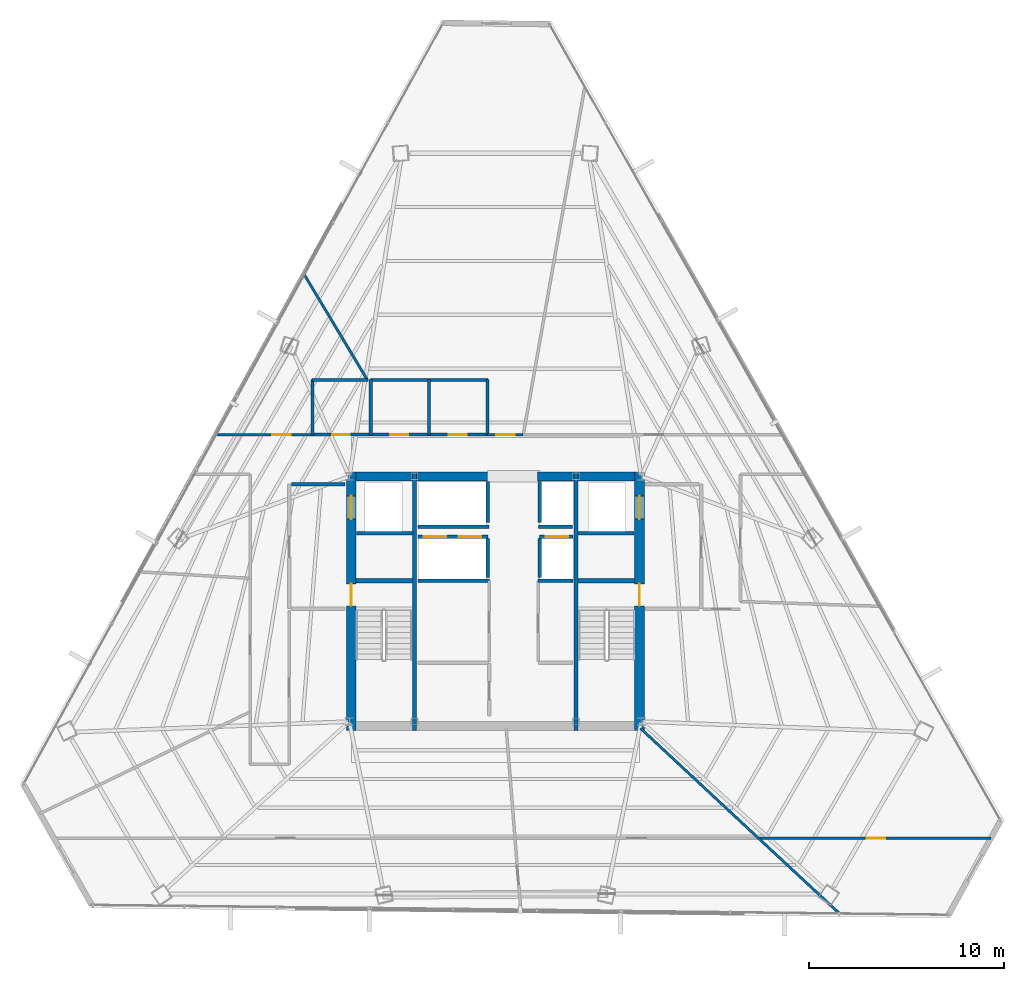
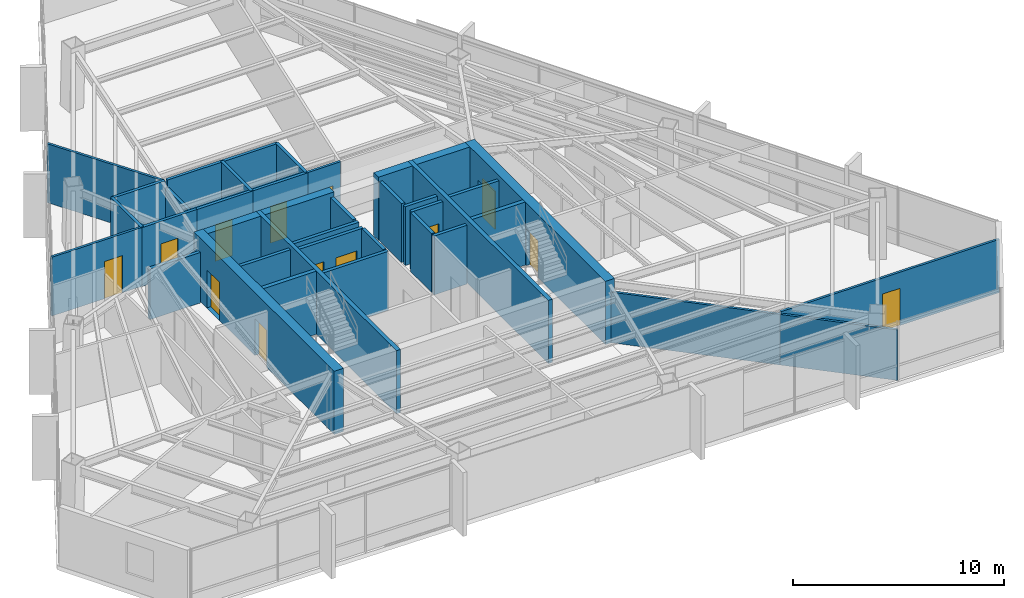
# One storey, part 36 of 40: 39 walls, 13 doors, 13 openings.
"""IFC4 building model written with IfcOpenShell, lengths in metres."""

from ifc_helpers import new_model, si_unit, direction, frame, frame_2d, origin, place, context, subcontext, project, spatial, rectangle, extrude, material, layer, layer_set, type_object, element, fill, save


model = new_model("IFC4")

# Units and contexts
model_context = context("Model", 3, precision=1e-05, world=origin(), true_north=direction((0.0, 1.0)))
body_context = subcontext(model_context, "Body", "Model", "MODEL_VIEW")
ifc_project = project(units=[si_unit("LENGTHUNIT", "METRE"), si_unit("AREAUNIT", "SQUARE_METRE"), si_unit("VOLUMEUNIT", "CUBIC_METRE"), si_unit("PLANEANGLEUNIT", "RADIAN"), si_unit("MASSUNIT", "GRAM", prefix="KILO")], contexts=[model_context])

# Site, building, storey
site_placement = place(None, origin())
site = spatial("IfcSite", under=ifc_project, at=site_placement, CompositionType="ELEMENT")
building_placement = place(site_placement, origin())
building = spatial("IfcBuilding", under=site, at=building_placement, Name="Caelisora Broadcast Tower", CompositionType="ELEMENT")
storey_placement = place(building_placement, frame((0.0, 0.0, 213.25)))
storey = spatial("IfcBuildingStorey", under=building, at=storey_placement, Name="L56", CompositionType="ELEMENT", Elevation=213.25)

# Wall, openings, doors
ifc_material_1 = material(Name="Concrete 50 MPa (AS 3600 S50)", Category="concrete")
ifc_layer_1 = layer(ifc_material_1, 0.5, Name="Concrete 50 MPa (AS 3600 S50)")
ifc_layer_set_1 = layer_set([ifc_layer_1], Name="Concrete 50 MPa (AS 3600 S50)")
wall_type_1 = type_object("IfcWallType", Name="CW2", PredefinedType="SHEAR", material=ifc_layer_set_1)
wall_1_placement = place(storey_placement, frame((30.590087890625, 16.949951171875, 0.0), z_axis=(0.0, 0.0, 1.0), x_axis=(0.0, 1.0, 0.0)))
wall_1 = element("IfcWall", 1, at=wall_1_placement, inside=storey, type_object=wall_type_1, Name="L56 core shear wall CW2", PredefinedType="SHEAR", context=body_context, shape_type="SweptSolid", body=[
    extrude(rectangle(XDim=13.275146484375, YDim=0.5, at=frame_2d((6.6376953125, 0.0))), origin(), (0.0, 0.0, 1.0), 3.64990234375),
])
opening_1_placement = place(wall_1_placement, frame((6.39990234375, 0.0, 0.0)))
opening_1 = element("IfcOpeningElement", 2, at=opening_1_placement, cuts=wall_1, Name="Opening FD04", PredefinedType="OPENING", context=body_context, shape_type="SweptSolid", body=[
    extrude(rectangle(XDim=1.1201171875, YDim=2.14990234375, at=frame_2d((0.56005859375, 1.074951171875))), frame((0.0, 0.261962890625, 0.0), z_axis=(0.0, -1.0, 0.0), x_axis=(1.0, 0.0, 0.0)), (0.0, 0.0, 1.0), 0.52392578125),
])
opening_2_placement = place(wall_1_placement, frame((10.85009765625, 0.0, 0.0)))
opening_2 = element("IfcOpeningElement", 3, at=opening_2_placement, cuts=wall_1, Name="Opening LD04", PredefinedType="OPENING", context=body_context, shape_type="SweptSolid", body=[
    extrude(rectangle(XDim=1.199951171875, YDim=2.199951171875, at=frame_2d((0.60009765625, 1.10009765625))), frame((0.0, 0.261962890625, 0.0), z_axis=(0.0, -1.0, 0.0), x_axis=(1.0, 0.0, 0.0)), (0.0, 0.0, 1.0), 0.52392578125),
])
ifc_material_2 = material(Name="Pressurised Fire-Isolated Stair Door", Category="steel")
door_type_1 = type_object("IfcDoorType", Name="FD04", OperationType="NOTDEFINED", PredefinedType="DOOR", material=ifc_material_2)
door_1_placement = place(opening_1_placement, origin())
door_1 = element("IfcDoor", 4, at=door_1_placement, inside=storey, type_object=door_type_1, Name="L56 door FD04 (L56-DR-ST1)", OperationType="SINGLE_SWING_LEFT", OverallHeight=2.14990234375, OverallWidth=1.1201171875, PredefinedType="DOOR", context=body_context, shape_type="SweptSolid", body=[
    extrude(rectangle(XDim=1.1201171875, YDim=2.14990234375, at=frame_2d((0.56005859375, 1.074951171875))), frame((0.0, 0.02490234375, 0.0), z_axis=(0.0, -1.0, 0.0), x_axis=(1.0, 0.0, 0.0)), (0.0, 0.0, 1.0), 0.050048828125),
])
fill(opening_1, door_1)
ifc_material_3 = material(Name="Emergency Firefighting Lift Sliding Landing Door", Category="steel")
door_type_2 = type_object("IfcDoorType", Name="LD04", OperationType="NOTDEFINED", PredefinedType="DOOR", material=ifc_material_3)
door_2_placement = place(opening_2_placement, origin())
door_2 = element("IfcDoor", 5, at=door_2_placement, inside=storey, type_object=door_type_2, Name="L56 door LD04 (L56-LD-FFL1)", OperationType="SLIDING_TO_LEFT", OverallHeight=2.199951171875, OverallWidth=1.199951171875, PredefinedType="DOOR", context=body_context, shape_type="SweptSolid", body=[
    extrude(rectangle(XDim=1.199951171875, YDim=2.199951171875, at=frame_2d((0.60009765625, 1.10009765625))), frame((0.0, 0.02490234375, 0.0), z_axis=(0.0, -1.0, 0.0), x_axis=(1.0, 0.0, 0.0)), (0.0, 0.0, 1.0), 0.050048828125),
])
fill(opening_2, door_2)

wall_2_placement = place(storey_placement, frame((45.409912109375, 16.949951171875, 0.0), z_axis=(0.0, 0.0, 1.0), x_axis=(0.0, 1.0, 0.0)))
wall_2 = element("IfcWall", 6, at=wall_2_placement, inside=storey, type_object=wall_type_1, Name="L56 core shear wall CW2", PredefinedType="SHEAR", context=body_context, shape_type="SweptSolid", body=[
    extrude(rectangle(XDim=13.275146484375, YDim=0.5, at=frame_2d((6.6376953125, 0.0))), origin(), (0.0, 0.0, 1.0), 3.64990234375),
])
opening_3_placement = place(wall_2_placement, frame((6.39990234375, 0.0, 0.0)))
opening_3 = element("IfcOpeningElement", 7, at=opening_3_placement, cuts=wall_2, Name="Opening FD04", PredefinedType="OPENING", context=body_context, shape_type="SweptSolid", body=[
    extrude(rectangle(XDim=1.1201171875, YDim=2.14990234375, at=frame_2d((0.56005859375, 1.074951171875))), frame((0.0, 0.261962890625, 0.0), z_axis=(0.0, -1.0, 0.0), x_axis=(1.0, 0.0, 0.0)), (0.0, 0.0, 1.0), 0.52392578125),
])
opening_4_placement = place(wall_2_placement, frame((10.85009765625, 0.0, 0.0)))
opening_4 = element("IfcOpeningElement", 8, at=opening_4_placement, cuts=wall_2, Name="Opening LD04", PredefinedType="OPENING", context=body_context, shape_type="SweptSolid", body=[
    extrude(rectangle(XDim=1.199951171875, YDim=2.199951171875, at=frame_2d((0.60009765625, 1.10009765625))), frame((0.0, 0.261962890625, 0.0), z_axis=(0.0, -1.0, 0.0), x_axis=(1.0, 0.0, 0.0)), (0.0, 0.0, 1.0), 0.52392578125),
])
door_3_placement = place(opening_3_placement, origin())
door_3 = element("IfcDoor", 9, at=door_3_placement, inside=storey, type_object=door_type_1, Name="L56 door FD04 (L56-DR-ST2)", OperationType="SINGLE_SWING_RIGHT", OverallHeight=2.14990234375, OverallWidth=1.1201171875, PredefinedType="DOOR", context=body_context, shape_type="SweptSolid", body=[
    extrude(rectangle(XDim=1.1201171875, YDim=2.14990234375, at=frame_2d((0.56005859375, 1.074951171875))), frame((0.0, 0.02490234375, 0.0), z_axis=(0.0, -1.0, 0.0), x_axis=(1.0, 0.0, 0.0)), (0.0, 0.0, 1.0), 0.050048828125),
])
fill(opening_3, door_3)
door_4_placement = place(opening_4_placement, origin())
door_4 = element("IfcDoor", 10, at=door_4_placement, inside=storey, type_object=door_type_2, Name="L56 door LD04 (L56-LD-FFL2)", OperationType="SLIDING_TO_RIGHT", OverallHeight=2.199951171875, OverallWidth=1.199951171875, PredefinedType="DOOR", context=body_context, shape_type="SweptSolid", body=[
    extrude(rectangle(XDim=1.199951171875, YDim=2.199951171875, at=frame_2d((0.60009765625, 1.10009765625))), frame((0.0, 0.02490234375, 0.0), z_axis=(0.0, -1.0, 0.0), x_axis=(1.0, 0.0, 0.0)), (0.0, 0.0, 1.0), 0.050048828125),
])
fill(opening_4, door_4)

# Walls
ifc_layer_2 = layer(ifc_material_1, 0.449951171875, Name="Concrete 50 MPa (AS 3600 S50)")
ifc_layer_set_2 = layer_set([ifc_layer_2], Name="Concrete 50 MPa (AS 3600 S50)")
wall_type_2 = type_object("IfcWallType", Name="CW5", PredefinedType="SHEAR", material=ifc_layer_set_2)
wall_3_placement = place(storey_placement, frame((30.840087890625, 30.0, 0.0), z_axis=(0.0, 0.0, 1.0), x_axis=(1.0, 0.0, 0.0)))
element("IfcWall", 11, at=wall_3_placement, inside=storey, type_object=wall_type_2, Name="L56 core shear wall CW5", PredefinedType="SHEAR", context=body_context, shape_type="SweptSolid", body=[
    extrude(rectangle(XDim=2.89990234375, YDim=0.449951171875, at=frame_2d((1.449951171875, 0.0))), origin(), (0.0, 0.0, 1.0), 3.64990234375),
])
wall_4_placement = place(storey_placement, frame((33.9599609375, 30.0, 0.0), z_axis=(0.0, 0.0, 1.0), x_axis=(1.0, 0.0, 0.0)))
element("IfcWall", 12, at=wall_4_placement, inside=storey, type_object=wall_type_2, Name="L56 core shear wall CW5", PredefinedType="SHEAR", context=body_context, shape_type="SweptSolid", body=[
    extrude(rectangle(XDim=3.780029296875, YDim=0.449951171875, at=frame_2d((1.89013671875, 0.0))), origin(), (0.0, 0.0, 1.0), 3.64990234375),
])
wall_5_placement = place(storey_placement, frame((40.159912109375, 30.0, 0.0), z_axis=(0.0, 0.0, 1.0), x_axis=(1.0, 0.0, 0.0)))
element("IfcWall", 13, at=wall_5_placement, inside=storey, type_object=wall_type_2, Name="L56 core shear wall CW5", PredefinedType="SHEAR", context=body_context, shape_type="SweptSolid", body=[
    extrude(rectangle(XDim=1.880126953125, YDim=0.449951171875, at=frame_2d((0.93994140625, 0.0))), origin(), (0.0, 0.0, 1.0), 3.64990234375),
])
wall_6_placement = place(storey_placement, frame((42.260009765625, 30.0, 0.0), z_axis=(0.0, 0.0, 1.0), x_axis=(1.0, 0.0, 0.0)))
element("IfcWall", 14, at=wall_6_placement, inside=storey, type_object=wall_type_2, Name="L56 core shear wall CW5", PredefinedType="SHEAR", context=body_context, shape_type="SweptSolid", body=[
    extrude(rectangle(XDim=2.89990234375, YDim=0.449951171875, at=frame_2d((1.449951171875, 0.0))), origin(), (0.0, 0.0, 1.0), 3.64990234375),
])
ifc_layer_3 = layer(ifc_material_1, 0.219970703125, Name="Concrete 50 MPa (AS 3600 S50)")
ifc_layer_set_3 = layer_set([ifc_layer_3], Name="Concrete 50 MPa (AS 3600 S50)")
wall_type_3 = type_object("IfcWallType", Name="CW7", PredefinedType="SHEAR", material=ifc_layer_set_3)
for number, where, z_axis, x_axis, name in (
    (15, (33.85009765625, 16.949951171875, 0.0), (0.0, 0.0, 1.0), (0.0, 1.0, 0.0), "L56 core shear wall CW7"),
    (16, (42.14990234375, 16.949951171875, 0.0), (0.0, 0.0, 1.0), (0.0, 1.0, 0.0), "L56 core shear wall CW7"),
):
    element("IfcWall", number, at=place(storey_placement, frame(where, z_axis=z_axis, x_axis=x_axis)), inside=storey, type_object=wall_type_3, Name=name, PredefinedType="SHEAR", context=body_context, shape_type="SweptSolid", body=[
        extrude(rectangle(XDim=13.275146484375, YDim=0.219970703125, at=frame_2d((6.6376953125, 0.0))), origin(), (0.0, 0.0, 1.0), 3.64990234375),
    ])
for number, where, z_axis, x_axis, name in (
    (17, (30.840087890625, 24.639892578125, 0.0), (0.0, 0.0, 1.0), (1.0, 0.0, 0.0), "L56 core shear wall CW7"),
    (18, (42.260009765625, 24.639892578125, 0.0), (0.0, 0.0, 1.0), (1.0, 0.0, 0.0), "L56 core shear wall CW7"),
):
    element("IfcWall", number, at=place(storey_placement, frame(where, z_axis=z_axis, x_axis=x_axis)), inside=storey, type_object=wall_type_3, Name=name, PredefinedType="SHEAR", context=body_context, shape_type="SweptSolid", body=[
        extrude(rectangle(XDim=2.89990234375, YDim=0.219970703125, at=frame_2d((1.449951171875, 0.0))), origin(), (0.0, 0.0, 1.0), 3.64990234375),
    ])

# Wall, openings, doors
ifc_material_4 = material(Name="Fire-Rated Gypsum Shaft and Compartment Wall", Category="gypsum")
ifc_layer_4 = layer(ifc_material_4, 0.179931640625, Name="Fire-Rated Gypsum Shaft and Compartment Wall")
ifc_layer_set_4 = layer_set([ifc_layer_4], Name="Fire-Rated Gypsum Shaft and Compartment Wall")
wall_type_4 = type_object("IfcWallType", Name="PW2", PredefinedType="PARTITIONING", material=ifc_layer_set_4)
wall_7_placement = place(storey_placement, frame((34.02001953125, 26.89990234375, 0.0), z_axis=(0.0, 0.0, 1.0), x_axis=(1.0, 0.0, 0.0)))
wall_7 = element("IfcWall", 19, at=wall_7_placement, inside=storey, type_object=wall_type_4, Name="L56 fire compartment wall PW2", PredefinedType="PARTITIONING", context=body_context, shape_type="SweptSolid", body=[
    extrude(rectangle(XDim=3.60009765625, YDim=0.179931640625, at=frame_2d((1.800048828125, 0.0))), origin(), (0.0, 0.0, 1.0), 3.39990234375),
])
opening_5_placement = place(wall_7_placement, frame((0.300048828125, 0.0, 0.0)))
opening_5 = element("IfcOpeningElement", 20, at=opening_5_placement, cuts=wall_7, Name="Opening LD02", PredefinedType="OPENING", context=body_context, shape_type="SweptSolid", body=[
    extrude(rectangle(XDim=1.14990234375, YDim=2.199951171875, at=frame_2d((0.574951171875, 1.10009765625))), frame((0.0, 0.10205078125, 0.0), z_axis=(0.0, -1.0, 0.0), x_axis=(1.0, 0.0, 0.0)), (0.0, 0.0, 1.0), 0.203857421875),
])
opening_6_placement = place(wall_7_placement, frame((2.10009765625, 0.0, 0.0)))
opening_6 = element("IfcOpeningElement", 21, at=opening_6_placement, cuts=wall_7, Name="Opening LD02", PredefinedType="OPENING", context=body_context, shape_type="SweptSolid", body=[
    extrude(rectangle(XDim=1.14990234375, YDim=2.199951171875, at=frame_2d((0.574951171875, 1.10009765625))), frame((0.0, 0.10205078125, 0.0), z_axis=(0.0, -1.0, 0.0), x_axis=(1.0, 0.0, 0.0)), (0.0, 0.0, 1.0), 0.203857421875),
])
ifc_material_5 = material(Name="High-Speed Express Lift Sliding Landing Door", Category="steel")
door_type_3 = type_object("IfcDoorType", Name="LD02", OperationType="NOTDEFINED", PredefinedType="DOOR", material=ifc_material_5)
door_5_placement = place(opening_5_placement, origin())
door_5 = element("IfcDoor", 22, at=door_5_placement, inside=storey, type_object=door_type_3, Name="L56 door LD02 (L56-LD-PLM1)", OperationType="SLIDING_TO_LEFT", OverallHeight=2.199951171875, OverallWidth=1.14990234375, PredefinedType="DOOR", context=body_context, shape_type="SweptSolid", body=[
    extrude(rectangle(XDim=1.14990234375, YDim=2.199951171875, at=frame_2d((0.574951171875, 1.10009765625))), frame((0.0, 0.02490234375, 0.0), z_axis=(0.0, -1.0, 0.0), x_axis=(1.0, 0.0, 0.0)), (0.0, 0.0, 1.0), 0.050048828125),
])
fill(opening_5, door_5)
door_6_placement = place(opening_6_placement, origin())
door_6 = element("IfcDoor", 23, at=door_6_placement, inside=storey, type_object=door_type_3, Name="L56 door LD02 (L56-LD-PLM2)", OperationType="SLIDING_TO_RIGHT", OverallHeight=2.199951171875, OverallWidth=1.14990234375, PredefinedType="DOOR", context=body_context, shape_type="SweptSolid", body=[
    extrude(rectangle(XDim=1.14990234375, YDim=2.199951171875, at=frame_2d((0.574951171875, 1.10009765625))), frame((0.0, 0.02490234375, 0.0), z_axis=(0.0, -1.0, 0.0), x_axis=(1.0, 0.0, 0.0)), (0.0, 0.0, 1.0), 0.050048828125),
])
fill(opening_6, door_6)

# Wall, opening, door
wall_8_placement = place(storey_placement, frame((40.280029296875, 26.89990234375, 0.0), z_axis=(0.0, 0.0, 1.0), x_axis=(1.0, 0.0, 0.0)))
wall_8 = element("IfcWall", 24, at=wall_8_placement, inside=storey, type_object=wall_type_4, Name="L56 fire compartment wall PW2", PredefinedType="PARTITIONING", context=body_context, shape_type="SweptSolid", body=[
    extrude(rectangle(XDim=1.699951171875, YDim=0.179931640625, at=frame_2d((0.85009765625, 0.0))), origin(), (0.0, 0.0, 1.0), 3.39990234375),
])
opening_7_placement = place(wall_8_placement, frame((0.320068359375, 0.0, 0.0)))
opening_7 = element("IfcOpeningElement", 25, at=opening_7_placement, cuts=wall_8, Name="Opening LD02", PredefinedType="OPENING", context=body_context, shape_type="SweptSolid", body=[
    extrude(rectangle(XDim=1.14990234375, YDim=2.199951171875, at=frame_2d((0.574951171875, 1.10009765625))), frame((0.0, 0.10205078125, 0.0), z_axis=(0.0, -1.0, 0.0), x_axis=(1.0, 0.0, 0.0)), (0.0, 0.0, 1.0), 0.203857421875),
])
door_7_placement = place(opening_7_placement, origin())
door_7 = element("IfcDoor", 26, at=door_7_placement, inside=storey, type_object=door_type_3, Name="L56 door LD02 (L56-LD-PLM3)", OperationType="SLIDING_TO_LEFT", OverallHeight=2.199951171875, OverallWidth=1.14990234375, PredefinedType="DOOR", context=body_context, shape_type="SweptSolid", body=[
    extrude(rectangle(XDim=1.14990234375, YDim=2.199951171875, at=frame_2d((0.574951171875, 1.10009765625))), frame((0.0, 0.02490234375, 0.0), z_axis=(0.0, -1.0, 0.0), x_axis=(1.0, 0.0, 0.0)), (0.0, 0.0, 1.0), 0.050048828125),
])
fill(opening_7, door_7)

# Walls
for number, where, z_axis, x_axis, name in (
    (27, (37.6201171875, 24.800048828125, 0.0), (0.0, 0.0, 1.0), (0.0, 1.0, 0.0), "L56 fire compartment wall PW2"),
    (28, (40.280029296875, 24.800048828125, 0.0), (0.0, 0.0, 1.0), (0.0, 1.0, 0.0), "L56 fire compartment wall PW2"),
):
    element("IfcWall", number, at=place(storey_placement, frame(where, z_axis=z_axis, x_axis=x_axis)), inside=storey, type_object=wall_type_4, Name=name, PredefinedType="PARTITIONING", context=body_context, shape_type="SweptSolid", body=[
        extrude(rectangle(XDim=2.0, YDim=0.179931640625, at=frame_2d((1.0, 0.0))), origin(), (0.0, 0.0, 1.0), 3.39990234375),
    ])
wall_9_placement = place(storey_placement, frame((34.02001953125, 24.639892578125, 0.0), z_axis=(0.0, 0.0, 1.0), x_axis=(1.0, 0.0, 0.0)))
element("IfcWall", 29, at=wall_9_placement, inside=storey, type_object=wall_type_4, Name="L56 fire compartment wall PW2", PredefinedType="PARTITIONING", context=body_context, shape_type="SweptSolid", body=[
    extrude(rectangle(XDim=3.679931640625, YDim=0.179931640625, at=frame_2d((1.83984375, 0.0))), origin(), (0.0, 0.0, 1.0), 3.39990234375),
])
wall_10_placement = place(storey_placement, frame((40.199951171875, 24.639892578125, 0.0), z_axis=(0.0, 0.0, 1.0), x_axis=(1.0, 0.0, 0.0)))
element("IfcWall", 30, at=wall_10_placement, inside=storey, type_object=wall_type_4, Name="L56 fire compartment wall PW2", PredefinedType="PARTITIONING", context=body_context, shape_type="SweptSolid", body=[
    extrude(rectangle(XDim=1.780029296875, YDim=0.179931640625, at=frame_2d((0.89013671875, 0.0))), origin(), (0.0, 0.0, 1.0), 3.39990234375),
])
wall_11_placement = place(storey_placement, frame((34.02001953125, 27.419921875, 0.0), z_axis=(0.0, 0.0, 1.0), x_axis=(1.0, 0.0, 0.0)))
element("IfcWall", 31, at=wall_11_placement, inside=storey, type_object=wall_type_4, Name="L56 fire compartment wall PW2", PredefinedType="PARTITIONING", context=body_context, shape_type="SweptSolid", body=[
    extrude(rectangle(XDim=3.659912109375, YDim=0.179931640625, at=frame_2d((1.830078125, 0.0))), origin(), (0.0, 0.0, 1.0), 3.39990234375),
])
wall_12_placement = place(storey_placement, frame((40.219970703125, 27.419921875, 0.0), z_axis=(0.0, 0.0, 1.0), x_axis=(1.0, 0.0, 0.0)))
element("IfcWall", 32, at=wall_12_placement, inside=storey, type_object=wall_type_4, Name="L56 fire compartment wall PW2", PredefinedType="PARTITIONING", context=body_context, shape_type="SweptSolid", body=[
    extrude(rectangle(XDim=1.760009765625, YDim=0.179931640625, at=frame_2d((0.8798828125, 0.0))), origin(), (0.0, 0.0, 1.0), 3.39990234375),
])
for number, where, z_axis, x_axis, name in (
    (33, (37.6201171875, 27.639892578125, 0.0), (0.0, 0.0, 1.0), (0.0, 1.0, 0.0), "L56 fire compartment wall PW2"),
    (34, (40.280029296875, 27.639892578125, 0.0), (0.0, 0.0, 1.0), (0.0, 1.0, 0.0), "L56 fire compartment wall PW2"),
):
    element("IfcWall", number, at=place(storey_placement, frame(where, z_axis=z_axis, x_axis=x_axis)), inside=storey, type_object=wall_type_4, Name=name, PredefinedType="PARTITIONING", context=body_context, shape_type="SweptSolid", body=[
        extrude(rectangle(XDim=2.110107421875, YDim=0.179931640625, at=frame_2d((1.05517578125, 0.0))), origin(), (0.0, 0.0, 1.0), 3.39990234375),
    ])
wall_13_placement = place(storey_placement, frame((27.52001953125, 29.60009765625, 0.0), z_axis=(0.0, 0.0, 1.0), x_axis=(1.0, 0.0, 0.0)))
element("IfcWall", 35, at=wall_13_placement, inside=storey, type_object=wall_type_4, Name="L56 fire compartment wall PW2", PredefinedType="PARTITIONING", context=body_context, shape_type="SweptSolid", body=[
    extrude(rectangle(XDim=2.760009765625, YDim=0.179931640625, at=frame_2d((1.3798828125, 0.0))), origin(), (0.0, 0.0, 1.0), 2.924560546875),
])
for number, where, z_axis, x_axis, name in (
    (36, (30.860107421875, 27.070068359375, 0.0), (0.0, 0.0, 1.0), (1.0, 0.0, 0.0), "L56 fire compartment wall PW2"),
    (37, (42.239990234375, 27.070068359375, 0.0), (0.0, 0.0, 1.0), (1.0, 0.0, 0.0), "L56 fire compartment wall PW2"),
):
    element("IfcWall", number, at=place(storey_placement, frame(where, z_axis=z_axis, x_axis=x_axis)), inside=storey, type_object=wall_type_4, Name=name, PredefinedType="PARTITIONING", context=body_context, shape_type="SweptSolid", body=[
        extrude(rectangle(XDim=2.89990234375, YDim=0.179931640625, at=frame_2d((1.449951171875, 0.0))), origin(), (0.0, 0.0, 1.0), 3.39990234375),
    ])

# Wall, opening, door
ifc_material_6 = material(Name="Acoustic Steel-Stud Plasterboard Partition", Category="gypsum")
ifc_layer_5 = layer(ifc_material_6, 0.1298828125, Name="Acoustic Steel-Stud Plasterboard Partition")
ifc_layer_set_5 = layer_set([ifc_layer_5], Name="Acoustic Steel-Stud Plasterboard Partition")
wall_type_5 = type_object("IfcWallType", Name="PW3", PredefinedType="PARTITIONING", material=ifc_layer_set_5)
wall_14_placement = place(storey_placement, frame((51.52490234375, 11.409912109375, 0.0), z_axis=(0.0, 0.0, 1.0), x_axis=(1.0, 0.0, 0.0)))
wall_14 = element("IfcWall", 38, at=wall_14_placement, inside=storey, type_object=wall_type_5, Name="L56 internal partition PW3", PredefinedType="PARTITIONING", context=body_context, shape_type="SweptSolid", body=[
    extrude(rectangle(XDim=11.9501953125, YDim=0.1298828125, at=frame_2d((5.97509765625, 0.0))), origin(), (0.0, 0.0, 1.0), 3.077880859375),
])
opening_8_placement = place(wall_14_placement, frame((5.552978515625, 0.0, 0.0)))
opening_8 = element("IfcOpeningElement", 39, at=opening_8_placement, cuts=wall_14, Name="Opening D01", PredefinedType="OPENING", context=body_context, shape_type="SweptSolid", body=[
    extrude(rectangle(XDim=0.9599609375, YDim=2.14990234375, at=frame_2d((0.47998046875, 1.074951171875))), frame((0.0, 0.076904296875, 0.0), z_axis=(0.0, -1.0, 0.0), x_axis=(1.0, 0.0, 0.0)), (0.0, 0.0, 1.0), 0.15380859375),
])
ifc_material_7 = material(Name="Solid-Core Timber Acoustic Office Door", Category="wood")
door_type_4 = type_object("IfcDoorType", Name="D01", OperationType="NOTDEFINED", PredefinedType="DOOR", material=ifc_material_7)
door_8_placement = place(opening_8_placement, origin())
door_8 = element("IfcDoor", 40, at=door_8_placement, inside=storey, type_object=door_type_4, Name="L56 door D01 (L56-DR-P29D1)", OperationType="SINGLE_SWING_RIGHT", OverallHeight=2.14990234375, OverallWidth=0.9599609375, PredefinedType="DOOR", context=body_context, shape_type="SweptSolid", body=[
    extrude(rectangle(XDim=0.9599609375, YDim=2.14990234375, at=frame_2d((0.47998046875, 1.074951171875))), frame((0.0, 0.02490234375, 0.0), z_axis=(0.0, -1.0, 0.0), x_axis=(1.0, 0.0, 0.0)), (0.0, 0.0, 1.0), 0.050048828125),
])
fill(opening_8, door_8)

# Walls
wall_15_placement = place(storey_placement, frame((45.465087890625, 17.049072265625, 0.0), z_axis=(0.0, 0.0, 1.0), x_axis=(0.731756869625, -0.681565758938, 0.0)))
element("IfcWall", 41, at=wall_15_placement, inside=storey, type_object=wall_type_5, Name="L56 internal partition PW3", PredefinedType="PARTITIONING", context=body_context, shape_type="SweptSolid", body=[
    extrude(rectangle(XDim=8.269287109375, YDim=0.1298828125, at=frame_2d((4.134765625, 0.0))), origin(), (0.0, 0.0, 1.0), 2.924560546875),
])
wall_16_placement = place(storey_placement, frame((28.186767578125, 40.364990234375, 0.0), z_axis=(0.0, 0.0, 1.0), x_axis=(0.513761212297, -0.85793322394, 0.0)))
element("IfcWall", 42, at=wall_16_placement, inside=storey, type_object=wall_type_5, Name="L56 internal partition PW3", PredefinedType="PARTITIONING", context=body_context, shape_type="SweptSolid", body=[
    extrude(rectangle(XDim=6.306884765625, YDim=0.1298828125, at=frame_2d((3.1533203125, 0.0))), origin(), (0.0, 0.0, 1.0), 3.39990234375),
])
wall_17_placement = place(storey_placement, frame((51.52392578125, 11.406982421875, 0.0), z_axis=(0.0, 0.0, 1.0), x_axis=(0.732244330324, -0.681042025655, 0.0)))
element("IfcWall", 43, at=wall_17_placement, inside=storey, type_object=wall_type_5, Name="L56 internal partition PW3", PredefinedType="PARTITIONING", context=body_context, shape_type="SweptSolid", body=[
    extrude(rectangle(XDim=5.70263671875, YDim=0.1298828125, at=frame_2d((2.851318359375, 0.0))), origin(), (0.0, 0.0, 1.0), 2.924560546875),
])

# Wall, opening, door
wall_18_placement = place(storey_placement, frame((23.656005859375, 32.14990234375, 0.0), z_axis=(0.0, 0.0, 1.0), x_axis=(1.0, 0.0, 0.0)))
wall_18 = element("IfcWall", 44, at=wall_18_placement, inside=storey, type_object=wall_type_5, Name="L56 internal partition PW3", PredefinedType="PARTITIONING", context=body_context, shape_type="SweptSolid", body=[
    extrude(rectangle(XDim=4.93896484375, YDim=0.1298828125, at=frame_2d((2.469482421875, 0.0))), origin(), (0.0, 0.0, 1.0), 3.39990234375),
])
opening_9_placement = place(wall_18_placement, frame((2.8798828125, 0.0, 0.0)))
opening_9 = element("IfcOpeningElement", 45, at=opening_9_placement, cuts=wall_18, Name="Opening D01", PredefinedType="OPENING", context=body_context, shape_type="SweptSolid", body=[
    extrude(rectangle(XDim=0.9599609375, YDim=2.14990234375, at=frame_2d((0.47998046875, 1.074951171875))), frame((0.0, 0.076904296875, 0.0), z_axis=(0.0, -1.0, 0.0), x_axis=(1.0, 0.0, 0.0)), (0.0, 0.0, 1.0), 0.15380859375),
])
door_9_placement = place(opening_9_placement, origin())
door_9 = element("IfcDoor", 46, at=door_9_placement, inside=storey, type_object=door_type_4, Name="L56 door D01 (L56-DR-P42D1)", OperationType="SINGLE_SWING_RIGHT", OverallHeight=2.14990234375, OverallWidth=0.9599609375, PredefinedType="DOOR", context=body_context, shape_type="SweptSolid", body=[
    extrude(rectangle(XDim=0.9599609375, YDim=2.14990234375, at=frame_2d((0.47998046875, 1.074951171875))), frame((0.0, 0.02490234375, 0.0), z_axis=(0.0, -1.0, 0.0), x_axis=(1.0, 0.0, 0.0)), (0.0, 0.0, 1.0), 0.050048828125),
])
fill(opening_9, door_9)

wall_19_placement = place(storey_placement, frame((37.60498046875, 32.14990234375, 0.0), z_axis=(0.0, 0.0, 1.0), x_axis=(1.0, 0.0, 0.0)))
wall_19 = element("IfcWall", 47, at=wall_19_placement, inside=storey, type_object=wall_type_5, Name="L56 internal partition PW3", PredefinedType="PARTITIONING", context=body_context, shape_type="SweptSolid", body=[
    extrude(rectangle(XDim=1.830078125, YDim=0.1298828125, at=frame_2d((0.9150390625, 0.0))), origin(), (0.0, 0.0, 1.0), 3.39990234375),
])
opening_10_placement = place(wall_19_placement, frame((0.43505859375, 0.0, 0.0)))
opening_10 = element("IfcOpeningElement", 48, at=opening_10_placement, cuts=wall_19, Name="Opening D01", PredefinedType="OPENING", context=body_context, shape_type="SweptSolid", body=[
    extrude(rectangle(XDim=0.9599609375, YDim=2.14990234375, at=frame_2d((0.47998046875, 1.074951171875))), frame((0.0, 0.076904296875, 0.0), z_axis=(0.0, -1.0, 0.0), x_axis=(1.0, 0.0, 0.0)), (0.0, 0.0, 1.0), 0.15380859375),
])
door_10_placement = place(opening_10_placement, origin())
door_10 = element("IfcDoor", 49, at=door_10_placement, inside=storey, type_object=door_type_4, Name="L56 door D01 (L56-DR-P49D1)", OperationType="SINGLE_SWING_LEFT", OverallHeight=2.14990234375, OverallWidth=0.9599609375, PredefinedType="DOOR", context=body_context, shape_type="SweptSolid", body=[
    extrude(rectangle(XDim=0.9599609375, YDim=2.14990234375, at=frame_2d((0.47998046875, 1.074951171875))), frame((0.0, 0.02490234375, 0.0), z_axis=(0.0, -1.0, 0.0), x_axis=(1.0, 0.0, 0.0)), (0.0, 0.0, 1.0), 0.050048828125),
])
fill(opening_10, door_10)

ifc_material_8 = material(Name="Moisture-Resistant Wet Plumbing Service Wall", Category="gypsum")
ifc_layer_6 = layer(ifc_material_8, 0.159912109375, Name="Moisture-Resistant Wet Plumbing Service Wall")
ifc_layer_set_6 = layer_set([ifc_layer_6], Name="Moisture-Resistant Wet Plumbing Service Wall")
wall_type_6 = type_object("IfcWallType", Name="PW4", PredefinedType="PLUMBINGWALL", material=ifc_layer_set_6)
wall_20_placement = place(storey_placement, frame((28.574951171875, 32.14990234375, 0.0), z_axis=(0.0, 0.0, 1.0), x_axis=(1.0, 0.0, 0.0)))
wall_20 = element("IfcWall", 50, at=wall_20_placement, inside=storey, type_object=wall_type_6, Name="L56 wet plumbing wall PW4", PredefinedType="PLUMBINGWALL", context=body_context, shape_type="SweptSolid", body=[
    extrude(rectangle(XDim=3.050048828125, YDim=0.159912109375, at=frame_2d((1.52490234375, 0.0))), origin(), (0.0, 0.0, 1.0), 3.39990234375),
])
opening_11_placement = place(wall_20_placement, frame((1.034912109375, 0.0, 0.0)))
opening_11 = element("IfcOpeningElement", 51, at=opening_11_placement, cuts=wall_20, Name="Opening D03", PredefinedType="OPENING", context=body_context, shape_type="SweptSolid", body=[
    extrude(rectangle(XDim=0.919921875, YDim=2.10009765625, at=frame_2d((0.4599609375, 1.050048828125))), frame((0.0, 0.092041015625, 0.0), z_axis=(0.0, -1.0, 0.0), x_axis=(1.0, 0.0, 0.0)), (0.0, 0.0, 1.0), 0.183837890625),
])
ifc_material_9 = material(Name="Laminate Moisture-Resistant Amenity WC Door", Category="wood")
door_type_5 = type_object("IfcDoorType", Name="D03", OperationType="NOTDEFINED", PredefinedType="DOOR", material=ifc_material_9)
door_11_placement = place(opening_11_placement, origin())
door_11 = element("IfcDoor", 52, at=door_11_placement, inside=storey, type_object=door_type_5, Name="L56 door D03 (L56-DR-P14D1)", OperationType="SINGLE_SWING_RIGHT", OverallHeight=2.10009765625, OverallWidth=0.919921875, PredefinedType="DOOR", context=body_context, shape_type="SweptSolid", body=[
    extrude(rectangle(XDim=0.919921875, YDim=2.10009765625, at=frame_2d((0.4599609375, 1.050048828125))), frame((0.0, 0.02490234375, 0.0), z_axis=(0.0, -1.0, 0.0), x_axis=(1.0, 0.0, 0.0)), (0.0, 0.0, 1.0), 0.050048828125),
])
fill(opening_11, door_11)

wall_21_placement = place(storey_placement, frame((31.574951171875, 32.14990234375, 0.0), z_axis=(0.0, 0.0, 1.0), x_axis=(1.0, 0.0, 0.0)))
wall_21 = element("IfcWall", 53, at=wall_21_placement, inside=storey, type_object=wall_type_6, Name="L56 wet plumbing wall PW4", PredefinedType="PLUMBINGWALL", context=body_context, shape_type="SweptSolid", body=[
    extrude(rectangle(XDim=3.050048828125, YDim=0.159912109375, at=frame_2d((1.52490234375, 0.0))), origin(), (0.0, 0.0, 1.0), 3.39990234375),
])
opening_12_placement = place(wall_21_placement, frame((1.034912109375, 0.0, 0.0)))
opening_12 = element("IfcOpeningElement", 54, at=opening_12_placement, cuts=wall_21, Name="Opening D03", PredefinedType="OPENING", context=body_context, shape_type="SweptSolid", body=[
    extrude(rectangle(XDim=0.919921875, YDim=2.10009765625, at=frame_2d((0.4599609375, 1.050048828125))), frame((0.0, 0.092041015625, 0.0), z_axis=(0.0, -1.0, 0.0), x_axis=(1.0, 0.0, 0.0)), (0.0, 0.0, 1.0), 0.183837890625),
])
door_12_placement = place(opening_12_placement, origin())
door_12 = element("IfcDoor", 55, at=door_12_placement, inside=storey, type_object=door_type_5, Name="L56 door D03 (L56-DR-P15D1)", OperationType="SINGLE_SWING_LEFT", OverallHeight=2.10009765625, OverallWidth=0.919921875, PredefinedType="DOOR", context=body_context, shape_type="SweptSolid", body=[
    extrude(rectangle(XDim=0.919921875, YDim=2.10009765625, at=frame_2d((0.4599609375, 1.050048828125))), frame((0.0, 0.02490234375, 0.0), z_axis=(0.0, -1.0, 0.0), x_axis=(1.0, 0.0, 0.0)), (0.0, 0.0, 1.0), 0.050048828125),
])
fill(opening_12, door_12)

wall_22_placement = place(storey_placement, frame((34.574951171875, 32.14990234375, 0.0), z_axis=(0.0, 0.0, 1.0), x_axis=(1.0, 0.0, 0.0)))
wall_22 = element("IfcWall", 56, at=wall_22_placement, inside=storey, type_object=wall_type_6, Name="L56 wet plumbing wall PW4", PredefinedType="PLUMBINGWALL", context=body_context, shape_type="SweptSolid", body=[
    extrude(rectangle(XDim=3.050048828125, YDim=0.159912109375, at=frame_2d((1.52490234375, 0.0))), origin(), (0.0, 0.0, 1.0), 3.39990234375),
])
opening_13_placement = place(wall_22_placement, frame((1.034912109375, 0.0, 0.0)))
opening_13 = element("IfcOpeningElement", 57, at=opening_13_placement, cuts=wall_22, Name="Opening D03", PredefinedType="OPENING", context=body_context, shape_type="SweptSolid", body=[
    extrude(rectangle(XDim=0.919921875, YDim=2.10009765625, at=frame_2d((0.4599609375, 1.050048828125))), frame((0.0, 0.092041015625, 0.0), z_axis=(0.0, -1.0, 0.0), x_axis=(1.0, 0.0, 0.0)), (0.0, 0.0, 1.0), 0.183837890625),
])
door_13_placement = place(opening_13_placement, origin())
door_13 = element("IfcDoor", 58, at=door_13_placement, inside=storey, type_object=door_type_5, Name="L56 door D03 (L56-DR-P16D1)", OperationType="SINGLE_SWING_RIGHT", OverallHeight=2.10009765625, OverallWidth=0.919921875, PredefinedType="DOOR", context=body_context, shape_type="SweptSolid", body=[
    extrude(rectangle(XDim=0.919921875, YDim=2.10009765625, at=frame_2d((0.4599609375, 1.050048828125))), frame((0.0, 0.02490234375, 0.0), z_axis=(0.0, -1.0, 0.0), x_axis=(1.0, 0.0, 0.0)), (0.0, 0.0, 1.0), 0.050048828125),
])
fill(opening_13, door_13)

# Walls
for number, where, z_axis, x_axis, name in (
    (59, (31.574951171875, 34.949951171875, 0.0), (0.0, 0.0, 1.0), (1.0, 0.0, 0.0), "L56 wet plumbing wall PW4"),
    (60, (37.625, 34.949951171875, 0.0), (0.0, 0.0, 1.0), (-1.0, 0.0, 0.0), "L56 wet plumbing wall PW4"),
):
    element("IfcWall", number, at=place(storey_placement, frame(where, z_axis=z_axis, x_axis=x_axis)), inside=storey, type_object=wall_type_6, Name=name, PredefinedType="PLUMBINGWALL", context=body_context, shape_type="SweptSolid", body=[
        extrude(rectangle(XDim=3.050048828125, YDim=0.159912109375, at=frame_2d((1.52490234375, 0.0))), origin(), (0.0, 0.0, 1.0), 3.39990234375),
    ])
wall_23_placement = place(storey_placement, frame((28.574951171875, 34.949951171875, 0.0), z_axis=(0.0, 0.0, 1.0), x_axis=(1.0, 0.0, 0.0)))
element("IfcWall", 61, at=wall_23_placement, inside=storey, type_object=wall_type_6, Name="L56 wet plumbing wall PW4", PredefinedType="PLUMBINGWALL", context=body_context, shape_type="SweptSolid", body=[
    extrude(rectangle(XDim=2.880126953125, YDim=0.159912109375, at=frame_2d((1.43994140625, 0.0))), origin(), (0.0, 0.0, 1.0), 3.39990234375),
])
wall_24_placement = place(storey_placement, frame((31.60009765625, 32.125, 0.0), z_axis=(0.0, 0.0, 1.0), x_axis=(0.0, 1.0, 0.0)))
element("IfcWall", 62, at=wall_24_placement, inside=storey, type_object=wall_type_6, Name="L56 wet plumbing wall PW4", PredefinedType="PLUMBINGWALL", context=body_context, shape_type="SweptSolid", body=[
    extrude(rectangle(XDim=2.85009765625, YDim=0.159912109375, at=frame_2d((1.425048828125, 0.0))), origin(), (0.0, 0.0, 1.0), 2.924560546875),
])
for number, where, z_axis, x_axis, name in (
    (63, (28.60009765625, 32.125, 0.0), (0.0, 0.0, 1.0), (0.0, 1.0, 0.0), "L56 wet plumbing wall PW4"),
    (64, (34.60009765625, 32.125, 0.0), (0.0, 0.0, 1.0), (0.0, 1.0, 0.0), "L56 wet plumbing wall PW4"),
    (65, (37.60009765625, 32.125, 0.0), (0.0, 0.0, 1.0), (0.0, 1.0, 0.0), "L56 wet plumbing wall PW4"),
):
    element("IfcWall", number, at=place(storey_placement, frame(where, z_axis=z_axis, x_axis=x_axis)), inside=storey, type_object=wall_type_6, Name=name, PredefinedType="PLUMBINGWALL", context=body_context, shape_type="SweptSolid", body=[
        extrude(rectangle(XDim=2.85009765625, YDim=0.159912109375, at=frame_2d((1.425048828125, 0.0))), origin(), (0.0, 0.0, 1.0), 3.39990234375),
    ])

save(model, "model.ifc")
